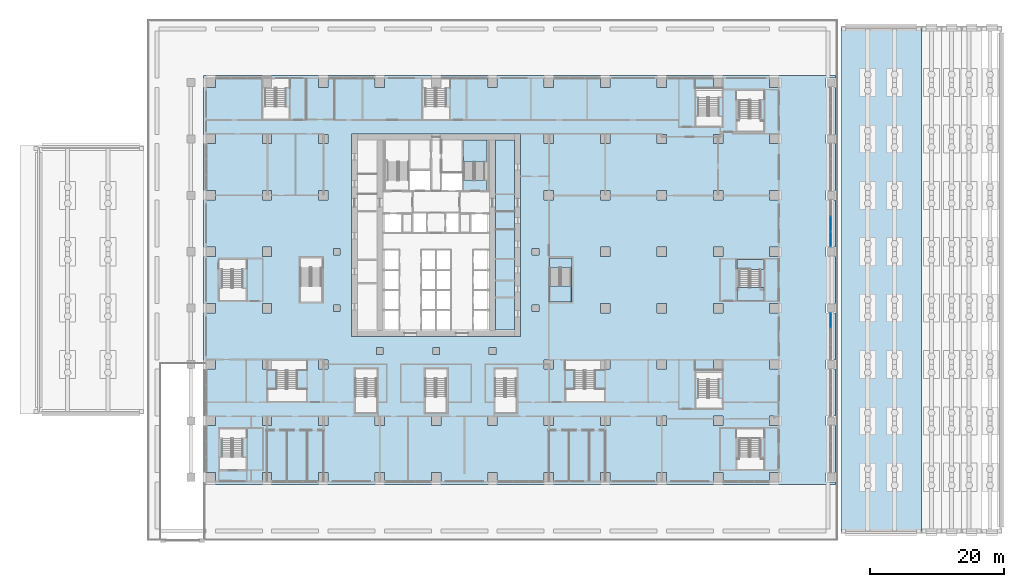
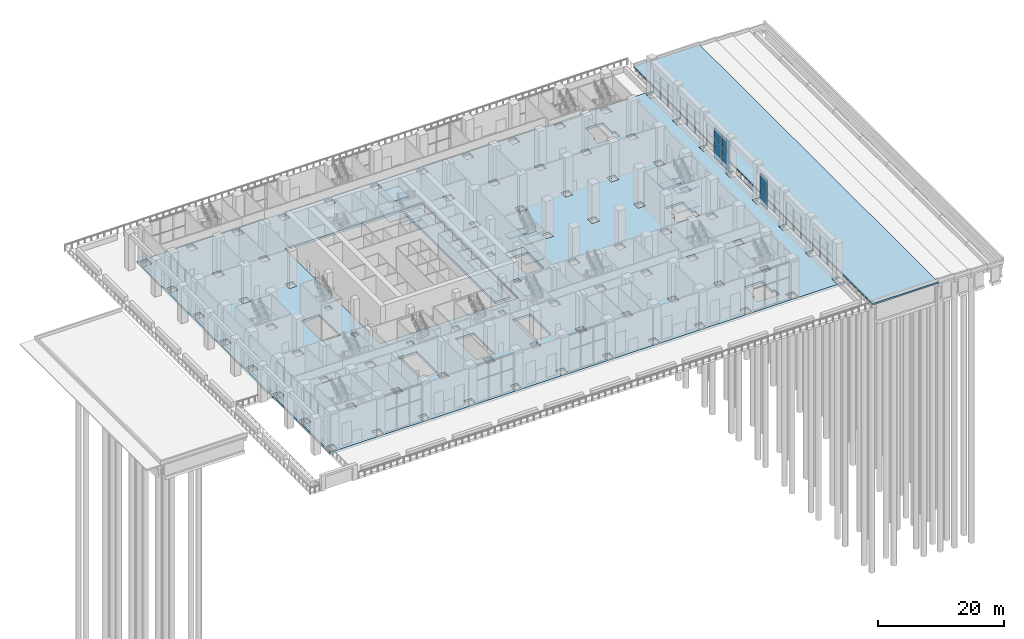
# One storey, part 17 of 53: 13 slabs, 6 plates, 5 elements without a shape of their own.
"""IFC4 building model written with IfcOpenShell, lengths in metres."""

from ifc_helpers import new_model, si_unit, direction, frame, origin, origin_2d, place, context, subcontext, project, spatial, polyline, rectangle, outline, extrude, material, layer, layer_set, type_object, element, aggregate, save


model = new_model("IFC4")

# Units and contexts
model_context = context("Model", 3, precision=1e-05, world=origin(), true_north=direction((0.0, 1.0)))
body_context = subcontext(model_context, "Body", "Model", "MODEL_VIEW")
ifc_project = project(units=[si_unit("LENGTHUNIT", "METRE"), si_unit("AREAUNIT", "SQUARE_METRE"), si_unit("VOLUMEUNIT", "CUBIC_METRE"), si_unit("PLANEANGLEUNIT", "RADIAN"), si_unit("MASSUNIT", "GRAM", prefix="KILO")], contexts=[model_context])

# Site, building, storey
site_placement = place(None, origin())
site = spatial("IfcSite", under=ifc_project, at=site_placement, CompositionType="ELEMENT")
building_placement = place(site_placement, origin())
building = spatial("IfcBuilding", under=site, at=building_placement, Name="Vermilion Ogive Tower", CompositionType="ELEMENT")
storey_placement = place(building_placement, origin())
storey = spatial("IfcBuildingStorey", under=building, at=storey_placement, Name="L00", CompositionType="ELEMENT", Elevation=0.0)

# Curtain wall, plates
ifc_material_1 = material(Name="Clear double glazing in aluminium frame", Category="aluminium")
curtain_wall_type = type_object("IfcCurtainWallType", Name="Curtain wall CW2", PredefinedType="NOTDEFINED", material=ifc_material_1)
curtain_wall_1_placement = place(storey_placement, origin())
curtain_wall_1 = element("IfcCurtainWall", 1, at=curtain_wall_1_placement, inside=storey, type_object=curtain_wall_type, Name="CW2 arcade glazing L00 3", PredefinedType="NOTDEFINED")
ifc_material_2 = material(Name="Clear double glazing in aluminium frame", Category="aluminium")
ifc_layer_1 = layer(ifc_material_2, 0.031982421875)
ifc_layer_set_1 = layer_set([ifc_layer_1], Name="CW2 glazing panel 32")
plate_type = type_object("IfcPlateType", Name="CW2 glazing panel 32", PredefinedType="CURTAIN_PANEL", material=ifc_layer_set_1)
plate_1_placement = place(storey_placement, frame((58.800048828125, -6.044921875, 0.06005859375), z_axis=(0.0, 0.0, 1.0), x_axis=(0.0, 1.0, 0.0)))
plate_1 = element("IfcPlate", 2, at=plate_1_placement, type_object=plate_type, Name="CW2-003 panel 3.1", PredefinedType="CURTAIN_PANEL", context=body_context, shape_type="SweptSolid", body=[
    extrude(rectangle(XDim=2.1298828125, YDim=0.031982421875, at=origin_2d()), origin(), (0.0, 0.0, 1.0), 3.449951171875),
])
plate_2_placement = place(storey_placement, frame((58.800048828125, -6.044921875, 3.570068359375), z_axis=(0.0, 0.0, 1.0), x_axis=(0.0, 1.0, 0.0)))
plate_2 = element("IfcPlate", 3, at=plate_2_placement, type_object=plate_type, Name="CW2-003 panel 3.2", PredefinedType="CURTAIN_PANEL", context=body_context, shape_type="SweptSolid", body=[
    extrude(rectangle(XDim=2.1298828125, YDim=0.031982421875, at=origin_2d()), origin(), (0.0, 0.0, 1.0), 2.27001953125),
])
aggregate(curtain_wall_1, [plate_1, plate_2])

curtain_wall_2_placement = place(storey_placement, origin())
curtain_wall_2 = element("IfcCurtainWall", 4, at=curtain_wall_2_placement, inside=storey, type_object=curtain_wall_type, Name="CW2 arcade glazing L00 5", PredefinedType="NOTDEFINED")
plate_3_placement = place(storey_placement, frame((58.800048828125, 6.044921875, 0.06005859375), z_axis=(0.0, 0.0, 1.0), x_axis=(0.0, 1.0, 0.0)))
plate_3 = element("IfcPlate", 5, at=plate_3_placement, type_object=plate_type, Name="CW2-005 panel 1.1", PredefinedType="CURTAIN_PANEL", context=body_context, shape_type="SweptSolid", body=[
    extrude(rectangle(XDim=2.1298828125, YDim=0.031982421875, at=origin_2d()), origin(), (0.0, 0.0, 1.0), 3.449951171875),
])
plate_4_placement = place(storey_placement, frame((58.800048828125, 6.044921875, 3.570068359375), z_axis=(0.0, 0.0, 1.0), x_axis=(0.0, 1.0, 0.0)))
plate_4 = element("IfcPlate", 6, at=plate_4_placement, type_object=plate_type, Name="CW2-005 panel 1.2", PredefinedType="CURTAIN_PANEL", context=body_context, shape_type="SweptSolid", body=[
    extrude(rectangle(XDim=2.1298828125, YDim=0.031982421875, at=origin_2d()), origin(), (0.0, 0.0, 1.0), 2.27001953125),
])
plate_5_placement = place(storey_placement, frame((58.800048828125, 8.39990234375, 0.06005859375), z_axis=(0.0, 0.0, 1.0), x_axis=(0.0, 1.0, 0.0)))
plate_5 = element("IfcPlate", 7, at=plate_5_placement, type_object=plate_type, Name="CW2-005 panel 2.1", PredefinedType="CURTAIN_PANEL", context=body_context, shape_type="SweptSolid", body=[
    extrude(rectangle(XDim=2.219970703125, YDim=0.031982421875, at=origin_2d()), origin(), (0.0, 0.0, 1.0), 3.449951171875),
])
plate_6_placement = place(storey_placement, frame((58.800048828125, 8.39990234375, 3.570068359375), z_axis=(0.0, 0.0, 1.0), x_axis=(0.0, 1.0, 0.0)))
plate_6 = element("IfcPlate", 8, at=plate_6_placement, type_object=plate_type, Name="CW2-005 panel 2.2", PredefinedType="CURTAIN_PANEL", context=body_context, shape_type="SweptSolid", body=[
    extrude(rectangle(XDim=2.219970703125, YDim=0.031982421875, at=origin_2d()), origin(), (0.0, 0.0, 1.0), 2.27001953125),
])
aggregate(curtain_wall_2, [plate_3, plate_4, plate_5, plate_6])

# Slabs
ifc_material_3 = material(Name="Concrete B40", Category="concrete")
ifc_layer_2 = layer(ifc_material_3, 0.449951171875)
ifc_layer_set_2 = layer_set([ifc_layer_2], Name="Core floor slab 450 B40")
slab_type_1 = type_object("IfcSlabType", Name="Core floor slab 450 B40", PredefinedType="FLOOR", material=ifc_layer_set_2)
slab_1_placement = place(storey_placement, frame((0.0, 0.0, -0.449951171875)))
element("IfcSlab", 9, at=slab_1_placement, inside=storey, type_object=slab_type_1, Name="L00-CK-FS3", PredefinedType="FLOOR", context=body_context, shape_type="SweptSolid", body=[
    extrude(outline(polyline([(8.85400390625, 20.845947265625), (11.696044921875, 20.845947265625), (11.696044921875, -7.49609375), (8.85400390625, -7.49609375), (8.85400390625, 20.845947265625)])), origin(), (0.0, 0.0, 1.0), 0.449951171875),
])
slab_2_placement = place(storey_placement, frame((0.0, 0.0, -0.449951171875)))
element("IfcSlab", 10, at=slab_2_placement, inside=storey, type_object=slab_type_1, Name="L00-SF-ST8-1", PredefinedType="FLOOR", context=body_context, shape_type="SweptSolid", body=[
    extrude(outline(polyline([(16.949951171875, 3.300048828125), (16.949951171875, 1.798095703125), (18.449951171875, 1.798095703125), (18.449951171875, 1.800048828125), (18.60009765625, 1.800048828125), (18.60009765625, 1.798095703125), (20.10009765625, 1.798095703125), (20.10009765625, -3.300048828125), (20.25, -3.300048828125), (20.25, 3.300048828125), (16.949951171875, 3.300048828125)])), origin(), (0.0, 0.0, 1.0), 0.449951171875),
])
ifc_material_4 = material(Name="Concrete B45", Category="concrete")
ifc_layer_3 = layer(ifc_material_4, 0.449951171875)
ifc_layer_set_3 = layer_set([ifc_layer_3], Name="Podium floor slab 450")
slab_type_2 = type_object("IfcSlabType", Name="Podium floor slab 450", PredefinedType="FLOOR", material=ifc_layer_set_3)
slab_3_placement = place(storey_placement, frame((0.0, 0.0, -0.449951171875)))
element("IfcSlab", 11, at=slab_3_placement, inside=storey, type_object=slab_type_2, Name="L00 floor slab 1", PredefinedType="FLOOR", context=body_context, shape_type="SweptSolid", body=[
    extrude(outline(polyline([(59.5, 20.300048828125), (58.10009765625, 20.300048828125), (58.10009765625, 21.699951171875), (59.5, 21.699951171875), (59.5, 28.699951171875), (58.10009765625, 28.699951171875), (58.10009765625, 30.10009765625), (59.5, 30.10009765625), (59.5, 30.449951171875), (-34.64990234375, 30.449951171875), (-34.64990234375, -12.41064453125), (-34.5, -12.41064453125), (-34.5, -30.449951171875), (59.5, -30.449951171875), (59.5, -30.10009765625), (58.10009765625, -30.10009765625), (58.10009765625, -28.699951171875), (59.5, -28.699951171875), (59.5, -21.699951171875), (58.10009765625, -21.699951171875), (58.10009765625, -20.300048828125), (59.5, -20.300048828125), (59.5, -13.300048828125), (58.10009765625, -13.300048828125), (58.10009765625, -11.89990234375), (59.5, -11.89990234375), (59.5, -4.89990234375), (58.10009765625, -4.89990234375), (58.10009765625, -3.5), (59.5, -3.5), (59.5, 3.5), (58.10009765625, 3.5), (58.10009765625, 4.89990234375), (59.5, 4.89990234375), (59.5, 11.89990234375), (58.10009765625, 11.89990234375), (58.10009765625, 13.300048828125), (59.5, 13.300048828125), (59.5, 20.300048828125)]), holes=[polyline([(-32.89990234375, -30.10009765625), (-34.300048828125, -30.10009765625), (-34.300048828125, -28.699951171875), (-32.89990234375, -28.699951171875), (-32.89990234375, -30.10009765625)]), polyline([(-25.89990234375, -30.10009765625), (-25.89990234375, -28.699951171875), (-24.5, -28.699951171875), (-24.5, -30.10009765625), (-25.89990234375, -30.10009765625)]), polyline([(-17.5, -30.10009765625), (-17.5, -28.699951171875), (-16.10009765625, -28.699951171875), (-16.10009765625, -30.10009765625), (-17.5, -30.10009765625)]), polyline([(-25.89990234375, -21.699951171875), (-25.89990234375, -20.300048828125), (-24.5, -20.300048828125), (-24.5, -21.699951171875), (-25.89990234375, -21.699951171875)]), polyline([(-34.300048828125, -21.699951171875), (-34.300048828125, -20.300048828125), (-32.89990234375, -20.300048828125), (-32.89990234375, -21.699951171875), (-34.300048828125, -21.699951171875)]), polyline([(-16.10009765625, -21.699951171875), (-17.5, -21.699951171875), (-17.5, -20.300048828125), (-16.10009765625, -20.300048828125), (-16.10009765625, -21.699951171875)]), polyline([(-25.89990234375, -13.300048828125), (-25.89990234375, -11.89990234375), (-24.5, -11.89990234375), (-24.5, -13.300048828125), (-25.89990234375, -13.300048828125)]), polyline([(-17.5, -13.300048828125), (-17.5, -11.89990234375), (-16.10009765625, -11.89990234375), (-16.10009765625, -13.300048828125), (-17.5, -13.300048828125)]), polyline([(-32.89990234375, -13.300048828125), (-34.300048828125, -13.300048828125), (-34.300048828125, -11.89990234375), (-32.89990234375, -11.89990234375), (-32.89990234375, -13.300048828125)]), polyline([(-25.89990234375, -4.89990234375), (-25.89990234375, -3.5), (-24.5, -3.5), (-24.5, -4.89990234375), (-25.89990234375, -4.89990234375)]), polyline([(-34.300048828125, -4.89990234375), (-34.300048828125, -3.5), (-32.89990234375, -3.5), (-32.89990234375, -4.89990234375), (-34.300048828125, -4.89990234375)]), polyline([(-16.949951171875, -3.300048828125), (-20.25, -3.300048828125), (-20.25, 3.300048828125), (-16.949951171875, 3.300048828125), (-16.949951171875, -3.300048828125)]), polyline([(-25.89990234375, 3.5), (-25.89990234375, 4.89990234375), (-24.5, 4.89990234375), (-24.5, 3.5), (-25.89990234375, 3.5)]), polyline([(-34.300048828125, 3.5), (-34.300048828125, 4.89990234375), (-32.89990234375, 4.89990234375), (-32.89990234375, 3.5), (-34.300048828125, 3.5)]), polyline([(-16.10009765625, 11.89990234375), (-17.5, 11.89990234375), (-17.5, 13.300048828125), (-16.10009765625, 13.300048828125), (-16.10009765625, 11.89990234375)]), polyline([(-25.89990234375, 11.89990234375), (-25.89990234375, 13.300048828125), (-24.5, 13.300048828125), (-24.5, 11.89990234375), (-25.89990234375, 11.89990234375)]), polyline([(-34.300048828125, 11.89990234375), (-34.300048828125, 13.300048828125), (-32.89990234375, 13.300048828125), (-32.89990234375, 11.89990234375), (-34.300048828125, 11.89990234375)]), polyline([(-24.5, 20.300048828125), (-25.89990234375, 20.300048828125), (-25.89990234375, 21.699951171875), (-24.5, 21.699951171875), (-24.5, 20.300048828125)]), polyline([(-34.300048828125, 20.300048828125), (-34.300048828125, 21.699951171875), (-32.89990234375, 21.699951171875), (-32.89990234375, 20.300048828125), (-34.300048828125, 20.300048828125)]), polyline([(-17.5, 20.300048828125), (-17.5, 21.699951171875), (-16.10009765625, 21.699951171875), (-16.10009765625, 20.300048828125), (-17.5, 20.300048828125)]), polyline([(-16.10009765625, 28.699951171875), (-17.5, 28.699951171875), (-17.5, 30.10009765625), (-16.10009765625, 30.10009765625), (-16.10009765625, 28.699951171875)]), polyline([(-25.89990234375, 28.699951171875), (-25.89990234375, 30.10009765625), (-24.5, 30.10009765625), (-24.5, 28.699951171875), (-25.89990234375, 28.699951171875)]), polyline([(-34.300048828125, 28.699951171875), (-34.300048828125, 30.10009765625), (-32.89990234375, 30.10009765625), (-32.89990234375, 28.699951171875), (-34.300048828125, 28.699951171875)]), polyline([(-7.699951171875, -30.10009765625), (-9.10009765625, -30.10009765625), (-9.10009765625, -28.699951171875), (-7.699951171875, -28.699951171875), (-7.699951171875, -30.10009765625)]), polyline([(-0.699951171875, -30.10009765625), (-0.699951171875, -28.699951171875), (0.699951171875, -28.699951171875), (0.699951171875, -30.10009765625), (-0.699951171875, -30.10009765625)]), polyline([(7.699951171875, -30.10009765625), (7.699951171875, -28.699951171875), (9.10009765625, -28.699951171875), (9.10009765625, -30.10009765625), (7.699951171875, -30.10009765625)]), polyline([(17.5, -30.10009765625), (16.10009765625, -30.10009765625), (16.10009765625, -28.699951171875), (17.5, -28.699951171875), (17.5, -30.10009765625)]), polyline([(7.699951171875, -21.699951171875), (7.699951171875, -20.300048828125), (9.10009765625, -20.300048828125), (9.10009765625, -21.699951171875), (7.699951171875, -21.699951171875)]), polyline([(-9.10009765625, -21.699951171875), (-9.10009765625, -20.300048828125), (-7.699951171875, -20.300048828125), (-7.699951171875, -21.699951171875), (-9.10009765625, -21.699951171875)]), polyline([(0.699951171875, -21.699951171875), (-0.699951171875, -21.699951171875), (-0.699951171875, -20.300048828125), (0.699951171875, -20.300048828125), (0.699951171875, -21.699951171875)]), polyline([(8.75, -19.800048828125), (8.75, -13.199951171875), (12.050048828125, -13.199951171875), (12.050048828125, -19.800048828125), (8.75, -19.800048828125)]), polyline([(-12.050048828125, -19.800048828125), (-12.050048828125, -13.199951171875), (-8.75, -13.199951171875), (-8.75, -19.800048828125), (-12.050048828125, -19.800048828125)]), polyline([(1.64990234375, -19.800048828125), (-1.64990234375, -19.800048828125), (-1.64990234375, -13.199951171875), (1.64990234375, -13.199951171875), (1.64990234375, -19.800048828125)]), polyline([(7.89990234375, -11.10009765625), (7.89990234375, -10.10009765625), (8.89990234375, -10.10009765625), (8.89990234375, -11.10009765625), (7.89990234375, -11.10009765625)]), polyline([(-8.89990234375, -11.10009765625), (-8.89990234375, -10.10009765625), (-7.89990234375, -10.10009765625), (-7.89990234375, -11.10009765625), (-8.89990234375, -11.10009765625)]), polyline([(0.5, -11.10009765625), (-0.5, -11.10009765625), (-0.5, -10.10009765625), (0.5, -10.10009765625), (0.5, -11.10009765625)]), polyline([(14.300048828125, -4.699951171875), (14.300048828125, -3.699951171875), (15.300048828125, -3.699951171875), (15.300048828125, -4.699951171875), (14.300048828125, -4.699951171875)]), polyline([(-15.300048828125, -4.699951171875), (-15.300048828125, -3.699951171875), (-14.300048828125, -3.699951171875), (-14.300048828125, -4.699951171875), (-15.300048828125, -4.699951171875)]), polyline([(15.300048828125, 3.699951171875), (14.300048828125, 3.699951171875), (14.300048828125, 4.699951171875), (15.300048828125, 4.699951171875), (15.300048828125, 3.699951171875)]), polyline([(-15.300048828125, 3.699951171875), (-15.300048828125, 4.699951171875), (-14.300048828125, 4.699951171875), (-14.300048828125, 3.699951171875), (-15.300048828125, 3.699951171875)]), polyline([(-12.60009765625, -8.39990234375), (-12.60009765625, 21.75), (12.60009765625, 21.75), (12.60009765625, -8.39990234375), (-12.60009765625, -8.39990234375)]), polyline([(16.10009765625, 11.89990234375), (16.10009765625, 13.300048828125), (17.5, 13.300048828125), (17.5, 11.89990234375), (16.10009765625, 11.89990234375)]), polyline([(9.10009765625, 28.699951171875), (7.699951171875, 28.699951171875), (7.699951171875, 30.10009765625), (9.10009765625, 30.10009765625), (9.10009765625, 28.699951171875)]), polyline([(-0.699951171875, 28.699951171875), (-0.699951171875, 30.10009765625), (0.699951171875, 30.10009765625), (0.699951171875, 28.699951171875), (-0.699951171875, 28.699951171875)]), polyline([(-9.10009765625, 28.699951171875), (-9.10009765625, 30.10009765625), (-7.699951171875, 30.10009765625), (-7.699951171875, 28.699951171875), (-9.10009765625, 28.699951171875)]), polyline([(25.89990234375, -30.10009765625), (24.5, -30.10009765625), (24.5, -28.699951171875), (25.89990234375, -28.699951171875), (25.89990234375, -30.10009765625)]), polyline([(41.300048828125, -30.10009765625), (41.300048828125, -28.699951171875), (42.699951171875, -28.699951171875), (42.699951171875, -30.10009765625), (41.300048828125, -30.10009765625)]), polyline([(32.89990234375, -30.10009765625), (32.89990234375, -28.699951171875), (34.300048828125, -28.699951171875), (34.300048828125, -30.10009765625), (32.89990234375, -30.10009765625)]), polyline([(34.300048828125, -21.699951171875), (32.89990234375, -21.699951171875), (32.89990234375, -20.300048828125), (34.300048828125, -20.300048828125), (34.300048828125, -21.699951171875)]), polyline([(24.5, -21.699951171875), (24.5, -20.300048828125), (25.89990234375, -20.300048828125), (25.89990234375, -21.699951171875), (24.5, -21.699951171875)]), polyline([(16.10009765625, -21.699951171875), (16.10009765625, -20.300048828125), (17.5, -20.300048828125), (17.5, -21.699951171875), (16.10009765625, -21.699951171875)]), polyline([(17.5, -13.300048828125), (16.10009765625, -13.300048828125), (16.10009765625, -11.89990234375), (17.5, -11.89990234375), (17.5, -13.300048828125)]), polyline([(24.5, -13.300048828125), (24.5, -11.89990234375), (25.89990234375, -11.89990234375), (25.89990234375, -13.300048828125), (24.5, -13.300048828125)]), polyline([(32.89990234375, -13.300048828125), (32.89990234375, -11.89990234375), (34.300048828125, -11.89990234375), (34.300048828125, -13.300048828125), (32.89990234375, -13.300048828125)]), polyline([(25.89990234375, -4.89990234375), (24.5, -4.89990234375), (24.5, -3.5), (25.89990234375, -3.5), (25.89990234375, -4.89990234375)]), polyline([(32.89990234375, -4.89990234375), (32.89990234375, -3.5), (34.300048828125, -3.5), (34.300048828125, -4.89990234375), (32.89990234375, -4.89990234375)]), polyline([(16.949951171875, -3.300048828125), (16.949951171875, 3.300048828125), (20.25, 3.300048828125), (20.25, -3.300048828125), (16.949951171875, -3.300048828125)]), polyline([(25.89990234375, 3.5), (24.5, 3.5), (24.5, 4.89990234375), (25.89990234375, 4.89990234375), (25.89990234375, 3.5)]), polyline([(32.89990234375, 3.5), (32.89990234375, 4.89990234375), (34.300048828125, 4.89990234375), (34.300048828125, 3.5), (32.89990234375, 3.5)]), polyline([(32.89990234375, 11.89990234375), (32.89990234375, 13.300048828125), (34.300048828125, 13.300048828125), (34.300048828125, 11.89990234375), (32.89990234375, 11.89990234375)]), polyline([(25.89990234375, 11.89990234375), (24.5, 11.89990234375), (24.5, 13.300048828125), (25.89990234375, 13.300048828125), (25.89990234375, 11.89990234375)]), polyline([(32.89990234375, 20.300048828125), (32.89990234375, 21.699951171875), (34.300048828125, 21.699951171875), (34.300048828125, 20.300048828125), (32.89990234375, 20.300048828125)]), polyline([(16.10009765625, 20.300048828125), (16.10009765625, 21.699951171875), (17.5, 21.699951171875), (17.5, 20.300048828125), (16.10009765625, 20.300048828125)]), polyline([(25.89990234375, 20.300048828125), (24.5, 20.300048828125), (24.5, 21.699951171875), (25.89990234375, 21.699951171875), (25.89990234375, 20.300048828125)]), polyline([(41.300048828125, 20.300048828125), (41.300048828125, 21.699951171875), (42.699951171875, 21.699951171875), (42.699951171875, 20.300048828125), (41.300048828125, 20.300048828125)]), polyline([(32.89990234375, 28.699951171875), (32.89990234375, 30.10009765625), (34.300048828125, 30.10009765625), (34.300048828125, 28.699951171875), (32.89990234375, 28.699951171875)]), polyline([(25.89990234375, 28.699951171875), (24.5, 28.699951171875), (24.5, 30.10009765625), (25.89990234375, 30.10009765625), (25.89990234375, 28.699951171875)]), polyline([(41.300048828125, 28.699951171875), (41.300048828125, 30.10009765625), (42.699951171875, 30.10009765625), (42.699951171875, 28.699951171875), (41.300048828125, 28.699951171875)]), polyline([(16.10009765625, 28.699951171875), (16.10009765625, 30.10009765625), (17.5, 30.10009765625), (17.5, 28.699951171875), (16.10009765625, 28.699951171875)]), polyline([(49.699951171875, -30.10009765625), (49.699951171875, -28.699951171875), (51.10009765625, -28.699951171875), (51.10009765625, -30.10009765625), (49.699951171875, -30.10009765625)]), polyline([(45.14990234375, -23.64990234375), (45.14990234375, -23.64990234375), (45.14990234375, -23.652099609375), (46.64990234375, -23.652099609375), (46.64990234375, -23.64990234375), (46.800048828125, -23.64990234375), (46.800048828125, -23.652099609375), (48.300048828125, -23.652099609375), (48.300048828125, -23.64990234375), (48.300048828125, -23.64990234375), (48.300048828125, -26.72998046875), (48.8125, -26.72998046875), (48.8125, -28.25), (44.787353515625, -28.25), (44.787353515625, -26.72998046875), (45.14990234375, -26.72998046875), (45.14990234375, -23.64990234375)]), polyline([(51.10009765625, -21.699951171875), (49.699951171875, -21.699951171875), (49.699951171875, -20.300048828125), (51.10009765625, -20.300048828125), (51.10009765625, -21.699951171875)]), polyline([(41.300048828125, -21.699951171875), (41.300048828125, -20.300048828125), (42.699951171875, -20.300048828125), (42.699951171875, -21.699951171875), (41.300048828125, -21.699951171875)]), polyline([(42.699951171875, -13.300048828125), (41.300048828125, -13.300048828125), (41.300048828125, -11.89990234375), (42.699951171875, -11.89990234375), (42.699951171875, -13.300048828125)]), polyline([(49.699951171875, -13.300048828125), (49.699951171875, -11.89990234375), (51.10009765625, -11.89990234375), (51.10009765625, -13.300048828125), (49.699951171875, -13.300048828125)]), polyline([(51.10009765625, -4.89990234375), (49.699951171875, -4.89990234375), (49.699951171875, -3.5), (51.10009765625, -3.5), (51.10009765625, -4.89990234375)]), polyline([(41.300048828125, -4.89990234375), (41.300048828125, -3.5), (42.699951171875, -3.5), (42.699951171875, -4.89990234375), (41.300048828125, -4.89990234375)]), polyline([(44.787353515625, -1.530029296875), (45.14990234375, -1.530029296875), (45.14990234375, 1.550048828125), (45.14990234375, 1.550048828125), (45.14990234375, 1.548095703125), (46.64990234375, 1.548095703125), (46.64990234375, 1.550048828125), (46.800048828125, 1.550048828125), (46.800048828125, 1.548095703125), (48.300048828125, 1.548095703125), (48.300048828125, 1.550048828125), (48.300048828125, 1.550048828125), (48.300048828125, -1.530029296875), (48.8125, -1.530029296875), (48.8125, -3.0498046875), (48.300048828125, -3.0498046875), (48.300048828125, -3.050048828125), (45.14990234375, -3.050048828125), (45.14990234375, -3.0498046875), (44.787353515625, -3.0498046875), (44.787353515625, -1.530029296875)]), polyline([(41.300048828125, 3.5), (41.300048828125, 4.89990234375), (42.699951171875, 4.89990234375), (42.699951171875, 3.5), (41.300048828125, 3.5)]), polyline([(49.699951171875, 3.5), (49.699951171875, 4.89990234375), (51.10009765625, 4.89990234375), (51.10009765625, 3.5), (49.699951171875, 3.5)]), polyline([(41.300048828125, 11.89990234375), (41.300048828125, 13.300048828125), (42.699951171875, 13.300048828125), (42.699951171875, 11.89990234375), (41.300048828125, 11.89990234375)]), polyline([(51.10009765625, 11.89990234375), (49.699951171875, 11.89990234375), (49.699951171875, 13.300048828125), (51.10009765625, 13.300048828125), (51.10009765625, 11.89990234375)]), polyline([(49.699951171875, 20.300048828125), (49.699951171875, 21.699951171875), (51.10009765625, 21.699951171875), (51.10009765625, 20.300048828125), (49.699951171875, 20.300048828125)]), polyline([(45.14990234375, 22.150146484375), (44.787353515625, 22.150146484375), (44.787353515625, 23.669921875), (45.14990234375, 23.669921875), (45.14990234375, 26.75), (45.14990234375, 26.75), (45.14990234375, 26.748046875), (46.64990234375, 26.748046875), (46.64990234375, 26.75), (46.800048828125, 26.75), (46.800048828125, 26.748046875), (48.300048828125, 26.748046875), (48.300048828125, 26.75), (48.300048828125, 26.75), (48.300048828125, 23.669921875), (48.8125, 23.669921875), (48.8125, 22.150146484375), (48.300048828125, 22.150146484375), (48.300048828125, 22.14990234375), (45.14990234375, 22.14990234375), (45.14990234375, 22.150146484375)]), polyline([(49.699951171875, 28.699951171875), (49.699951171875, 30.10009765625), (51.10009765625, 30.10009765625), (51.10009765625, 28.699951171875), (49.699951171875, 28.699951171875)])]), origin(), (0.0, 0.0, 1.0), 0.449951171875),
])
ifc_material_5 = material(Name="Concrete B45", Category="concrete")
ifc_layer_4 = layer(ifc_material_5, 0.300048828125)
ifc_layer_set_4 = layer_set([ifc_layer_4], Name="Promenade paving slab 300")
slab_type_3 = type_object("IfcSlabType", Name="Promenade paving slab 300", PredefinedType="BASESLAB", material=ifc_layer_set_4)
slab_4_placement = place(storey_placement, frame((0.0, 0.0, -0.300048828125)))
element("IfcSlab", 12, at=slab_4_placement, inside=storey, type_object=slab_type_3, Name="River promenade paving", PredefinedType="BASESLAB", context=body_context, shape_type="SweptSolid", body=[
    extrude(outline(polyline([(72.300048828125, -37.800048828125), (72.300048828125, 37.800048828125), (60.300048828125, 37.800048828125), (60.300048828125, -37.800048828125), (72.300048828125, -37.800048828125)])), origin(), (0.0, 0.0, 1.0), 0.300048828125),
])

# Stair, slabs
ifc_material_6 = material(Name="Concrete B40", Category="concrete")
stair_type = type_object("IfcStairType", Name="Exit stair 1500", PredefinedType="HALF_TURN_STAIR", material=ifc_material_6)
stair_1_placement = place(storey_placement, origin())
stair_1 = element("IfcStair", 13, at=stair_1_placement, inside=storey, type_object=stair_type, Name="L00 Exit Stair ST2", PredefinedType="HALF_TURN_STAIR")
ifc_material_7 = material(Name="Concrete B40", Category="concrete")
ifc_layer_5 = layer(ifc_material_7, 0.199951171875)
ifc_layer_set_5 = layer_set([ifc_layer_5], Name="Stair landing 200")
slab_type_4 = type_object("IfcSlabType", Name="Stair landing 200", PredefinedType="LANDING", material=ifc_layer_set_5)
slab_5_placement = place(storey_placement, frame((0.0, 0.0, 1.675048828125)))
slab_5 = element("IfcSlab", 14, at=slab_5_placement, type_object=slab_type_4, Name="ST2 landing 1", PredefinedType="LANDING", context=body_context, shape_type="SweptSolid", body=[
    extrude(outline(polyline([(5.60009765625, 17.550048828125), (5.75, 17.550048828125), (5.75, 17.548095703125), (7.25, 17.548095703125), (7.25, 17.550048828125), (7.60009765625, 17.550048828125), (7.60009765625, 20.85009765625), (4.074951171875, 20.85009765625), (4.074951171875, 17.550048828125), (4.10009765625, 17.550048828125), (4.10009765625, 17.548095703125), (5.60009765625, 17.548095703125), (5.60009765625, 17.550048828125)])), origin(), (0.0, 0.0, 1.0), 0.199951171875),
])
slab_6_placement = place(storey_placement, frame((0.0, 0.0, 3.550048828125)))
slab_6 = element("IfcSlab", 15, at=slab_6_placement, type_object=slab_type_4, Name="ST2 landing 2", PredefinedType="LANDING", context=body_context, shape_type="SweptSolid", body=[
    extrude(outline(polyline([(5.75, 14.85009765625), (5.60009765625, 14.85009765625), (5.60009765625, 14.85205078125), (4.10009765625, 14.85205078125), (4.10009765625, 13.35009765625), (7.60009765625, 13.35009765625), (7.60009765625, 14.85009765625), (7.25, 14.85009765625), (7.25, 14.85205078125), (5.75, 14.85205078125), (5.75, 14.85009765625)])), origin(), (0.0, 0.0, 1.0), 0.199951171875),
])
slab_7_placement = place(storey_placement, frame((0.0, 0.0, 5.425048828125)))
slab_7 = element("IfcSlab", 16, at=slab_7_placement, type_object=slab_type_4, Name="ST2 landing 3", PredefinedType="LANDING", context=body_context, shape_type="SweptSolid", body=[
    extrude(outline(polyline([(5.60009765625, 17.550048828125), (5.75, 17.550048828125), (5.75, 17.548095703125), (7.25, 17.548095703125), (7.25, 17.550048828125), (7.60009765625, 17.550048828125), (7.60009765625, 20.85009765625), (4.074951171875, 20.85009765625), (4.074951171875, 17.550048828125), (4.10009765625, 17.550048828125), (4.10009765625, 17.548095703125), (5.60009765625, 17.548095703125), (5.60009765625, 17.550048828125)])), origin(), (0.0, 0.0, 1.0), 0.199951171875),
])
aggregate(stair_1, [slab_5, slab_6, slab_7])

stair_2_placement = place(storey_placement, origin())
stair_2 = element("IfcStair", 17, at=stair_2_placement, inside=storey, type_object=stair_type, Name="L00 Exit Stair ST8", PredefinedType="HALF_TURN_STAIR")
slab_8_placement = place(storey_placement, frame((0.0, 0.0, 1.675048828125)))
slab_8 = element("IfcSlab", 18, at=slab_8_placement, type_object=slab_type_4, Name="ST8 landing 1", PredefinedType="LANDING", context=body_context, shape_type="SweptSolid", body=[
    extrude(outline(polyline([(20.25, -0.89990234375), (20.10009765625, -0.89990234375), (20.10009765625, -0.89794921875), (18.60009765625, -0.89794921875), (18.60009765625, -0.89990234375), (18.449951171875, -0.89990234375), (18.449951171875, -0.89794921875), (16.949951171875, -0.89794921875), (16.949951171875, -0.89990234375), (16.875, -0.89990234375), (16.875, -3.300048828125), (20.25, -3.300048828125), (20.25, -0.89990234375)])), origin(), (0.0, 0.0, 1.0), 0.199951171875),
])
slab_9_placement = place(storey_placement, frame((0.0, 0.0, 3.550048828125)))
slab_9 = element("IfcSlab", 19, at=slab_9_placement, type_object=slab_type_4, Name="ST8 landing 2", PredefinedType="LANDING", context=body_context, shape_type="SweptSolid", body=[
    extrude(outline(polyline([(16.875, 1.800048828125), (16.949951171875, 1.800048828125), (16.949951171875, 1.798095703125), (18.449951171875, 1.798095703125), (18.449951171875, 1.800048828125), (18.60009765625, 1.800048828125), (18.60009765625, 1.798095703125), (20.10009765625, 1.798095703125), (20.10009765625, 1.800048828125), (20.25, 1.800048828125), (20.25, 3.300048828125), (16.875, 3.300048828125), (16.875, 1.800048828125)])), origin(), (0.0, 0.0, 1.0), 0.199951171875),
])
slab_10_placement = place(storey_placement, frame((0.0, 0.0, 5.425048828125)))
slab_10 = element("IfcSlab", 20, at=slab_10_placement, type_object=slab_type_4, Name="ST8 landing 3", PredefinedType="LANDING", context=body_context, shape_type="SweptSolid", body=[
    extrude(outline(polyline([(20.25, -0.89990234375), (20.10009765625, -0.89990234375), (20.10009765625, -0.89794921875), (18.60009765625, -0.89794921875), (18.60009765625, -0.89990234375), (18.449951171875, -0.89990234375), (18.449951171875, -0.89794921875), (16.949951171875, -0.89794921875), (16.949951171875, -0.89990234375), (16.875, -0.89990234375), (16.875, -3.300048828125), (20.25, -3.300048828125), (20.25, -0.89990234375)])), origin(), (0.0, 0.0, 1.0), 0.199951171875),
])
aggregate(stair_2, [slab_8, slab_9, slab_10])

stair_3_placement = place(storey_placement, origin())
stair_3 = element("IfcStair", 21, at=stair_3_placement, inside=storey, type_object=stair_type, Name="L00 Exit Stair PEC", PredefinedType="HALF_TURN_STAIR")
slab_11_placement = place(storey_placement, frame((0.0, 0.0, 1.675048828125)))
slab_11 = element("IfcSlab", 22, at=slab_11_placement, type_object=slab_type_4, Name="PEC landing 1", PredefinedType="LANDING", context=body_context, shape_type="SweptSolid", body=[
    extrude(outline(polyline([(48.8125, -1.14990234375), (48.300048828125, -1.14990234375), (48.300048828125, -1.14794921875), (46.800048828125, -1.14794921875), (46.800048828125, -1.14990234375), (46.64990234375, -1.14990234375), (46.64990234375, -1.14794921875), (45.14990234375, -1.14794921875), (45.14990234375, -1.14990234375), (44.800048828125, -1.14990234375), (44.800048828125, -3.0498046875), (48.8125, -3.0498046875), (48.8125, -1.14990234375)])), origin(), (0.0, 0.0, 1.0), 0.199951171875),
])
slab_12_placement = place(storey_placement, frame((0.0, 0.0, 3.550048828125)))
slab_12 = element("IfcSlab", 23, at=slab_12_placement, type_object=slab_type_4, Name="PEC landing 2", PredefinedType="LANDING", context=body_context, shape_type="SweptSolid", body=[
    extrude(outline(polyline([(44.800048828125, 1.550048828125), (45.14990234375, 1.550048828125), (45.14990234375, 1.548095703125), (46.64990234375, 1.548095703125), (46.64990234375, 1.550048828125), (46.800048828125, 1.550048828125), (46.800048828125, 1.548095703125), (48.300048828125, 1.548095703125), (48.300048828125, 1.550048828125), (48.8125, 1.550048828125), (48.8125, 3.0498046875), (44.800048828125, 3.0498046875), (44.800048828125, 1.550048828125)])), origin(), (0.0, 0.0, 1.0), 0.199951171875),
])
slab_13_placement = place(storey_placement, frame((0.0, 0.0, 5.425048828125)))
slab_13 = element("IfcSlab", 24, at=slab_13_placement, type_object=slab_type_4, Name="PEC landing 3", PredefinedType="LANDING", context=body_context, shape_type="SweptSolid", body=[
    extrude(outline(polyline([(48.8125, -1.14990234375), (48.300048828125, -1.14990234375), (48.300048828125, -1.14794921875), (46.800048828125, -1.14794921875), (46.800048828125, -1.14990234375), (46.64990234375, -1.14990234375), (46.64990234375, -1.14794921875), (45.14990234375, -1.14794921875), (45.14990234375, -1.14990234375), (44.800048828125, -1.14990234375), (44.800048828125, -3.0498046875), (48.8125, -3.0498046875), (48.8125, -1.14990234375)])), origin(), (0.0, 0.0, 1.0), 0.199951171875),
])
aggregate(stair_3, [slab_11, slab_12, slab_13])

save(model, "model.ifc")
